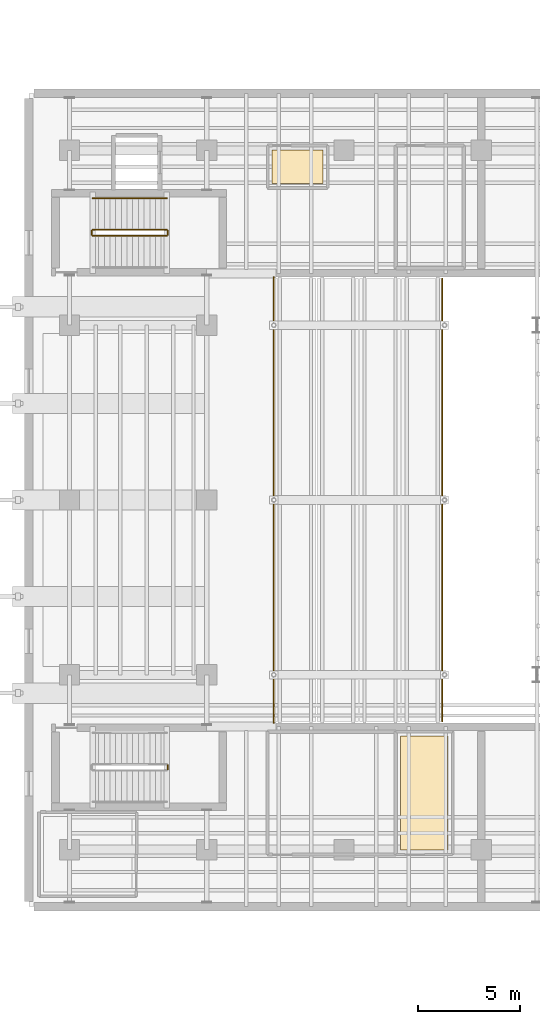
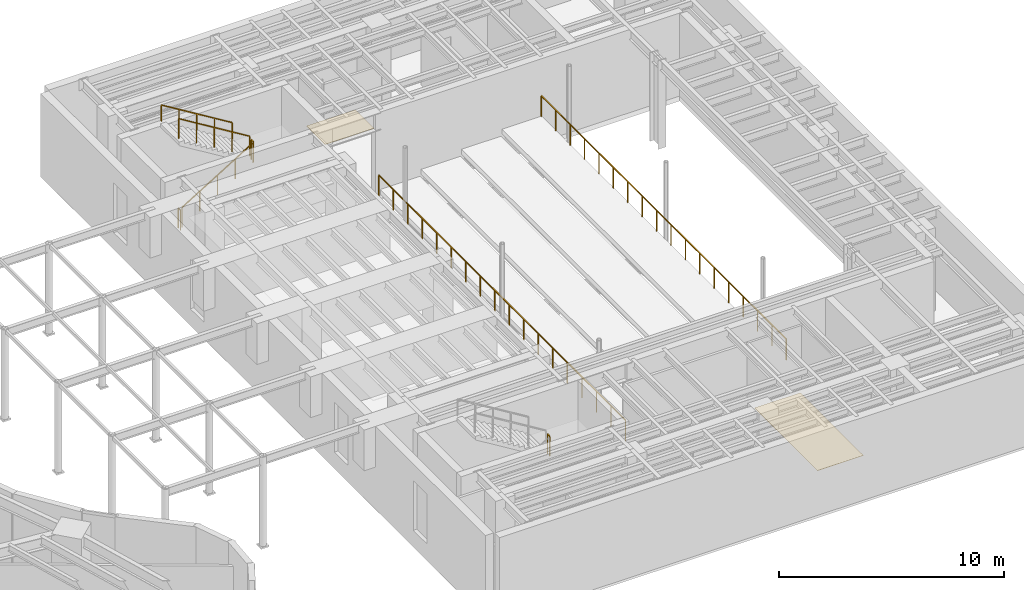
# One storey, part 24 of 24: 8 railings, 2 coverings.
"""IFC4 building model written with IfcOpenShell, lengths in metres."""

from ifc_helpers import new_model, si_unit, direction, frame, origin, origin_2d, place, context, subcontext, project, spatial, polyline, rectangle, outline, extrude, material, layer, layer_set, type_object, element, save


model = new_model("IFC4")

# Units and contexts
model_context = context("Model", 3, precision=1e-05, world=origin(), true_north=direction((0.0, 1.0)))
body_context = subcontext(model_context, "Body", "Model", "MODEL_VIEW")
ifc_project = project(units=[si_unit("LENGTHUNIT", "METRE"), si_unit("AREAUNIT", "SQUARE_METRE"), si_unit("VOLUMEUNIT", "CUBIC_METRE"), si_unit("PLANEANGLEUNIT", "RADIAN"), si_unit("MASSUNIT", "GRAM", prefix="KILO")], contexts=[model_context])

# Site, building, storey
site_placement = place(None, origin())
site = spatial("IfcSite", under=ifc_project, at=site_placement, CompositionType="ELEMENT")
building_placement = place(site_placement, origin())
building = spatial("IfcBuilding", under=site, at=building_placement, Name="Korentha Bioscience Tower", CompositionType="ELEMENT")
storey_placement = place(building_placement, frame((0.0, 0.0, 5.39990234375)))
storey = spatial("IfcBuildingStorey", under=building, at=storey_placement, Name="L01", CompositionType="ELEMENT", Elevation=5.39990234375)

# Covering
ifc_material_1 = material(Name="Vitrified Porcelain Tile", Category="ceramic")
ifc_layer_1 = layer(ifc_material_1, 0.014892578125, Name="Vitrified Porcelain Tile")
ifc_layer_set_1 = layer_set([ifc_layer_1], Name="Vitrified Porcelain Tile (FL-CER)")
covering_type_1 = type_object("IfcCoveringType", Name="Anti-Slip Ceramic Wet-Room Tile Flooring 15", PredefinedType="FLOORING", material=ifc_layer_set_1)
covering_1_placement = place(storey_placement, origin())
element("IfcCovering", 1, at=covering_1_placement, inside=storey, type_object=covering_type_1, Name="L01 L01 Theatre Accessible WC Floor Finish", PredefinedType="FLOORING", context=body_context, shape_type="SweptSolid", body=[
    extrude(outline(polyline([(76.469970703125, 42.570068359375), (76.469970703125, 44.219970703125), (78.97998046875, 44.219970703125), (78.97998046875, 42.570068359375), (76.469970703125, 42.570068359375)])), origin(), (0.0, 0.0, 1.0), 0.01513671875),
])

# Railings
ifc_material_2 = material(Name="Stainless Steel 304", Category="steel")
railing_type_1 = type_object("IfcRailingType", Name="Brushed Stainless Stair Handrail 900", PredefinedType="HANDRAIL", material=ifc_material_2)
railing_1_placement = place(storey_placement, frame((71.2900390625, 41.85009765625, 2.571533203125)))
element("IfcRailing", 2, at=railing_1_placement, inside=storey, type_object=railing_type_1, Name="L01 ST-T2 stair handrail 2", PredefinedType="HANDRAIL", context=body_context, shape_type="SweptSolid", body=[
    extrude(rectangle(XDim=0.048095703125, YDim=0.048095703125, at=origin_2d()), frame((0.0, 0.0, 0.8759765625), z_axis=(-0.852865859571, 0.0, 0.52213008492), x_axis=(0.0, -1.0, 0.0)), (0.0, 0.0, 1.0), 4.26806640625),
    extrude(rectangle(XDim=0.0419921875, YDim=0.0419921875, at=origin_2d()), origin(), (0.0, 0.0, 1.0), 0.851806640625),
    extrude(rectangle(XDim=0.0419921875, YDim=0.0419921875, at=origin_2d()), frame((-0.91015625, 0.0, 0.55712890625)), (0.0, 0.0, 1.0), 0.851806640625),
    extrude(rectangle(XDim=0.0419921875, YDim=0.0419921875, at=origin_2d()), frame((-1.820068359375, 0.0, 1.1142578125)), (0.0, 0.0, 1.0), 0.851806640625),
    extrude(rectangle(XDim=0.0419921875, YDim=0.0419921875, at=origin_2d()), frame((-2.72998046875, 0.0, 1.67138671875)), (0.0, 0.0, 1.0), 0.851806640625),
    extrude(rectangle(XDim=0.0419921875, YDim=0.0419921875, at=origin_2d()), frame((-3.64013671875, 0.0, 2.228515625)), (0.0, 0.0, 1.0), 0.851806640625),
])
ifc_material_3 = material(Name="Laminated Tempered Safety Glass", Category="glass")
railing_type_2 = type_object("IfcRailingType", Name="Laminated Glass Balcony Guardrail 1150", PredefinedType="BALUSTRADE", material=ifc_material_3)
railing_2_placement = place(storey_placement, frame((76.550048828125, 16.050048828125, 0.0)))
element("IfcRailing", 3, at=railing_2_placement, inside=storey, type_object=railing_type_2, Name="L01 Auditorium Seating Tier Front Balustrade", PredefinedType="BALUSTRADE", context=body_context, shape_type="SweptSolid", body=[
    extrude(rectangle(XDim=0.048095703125, YDim=0.048095703125, at=origin_2d()), frame((0.0, 0.0, 1.1259765625), z_axis=(0.0, 1.0, 0.0), x_axis=(-1.0, 0.0, 0.0)), (0.0, 0.0, 1.0), 21.89990234375),
    extrude(rectangle(XDim=0.0419921875, YDim=0.0419921875, at=origin_2d()), origin(), (0.0, 0.0, 1.0), 1.101806640625),
    extrude(rectangle(XDim=0.0419921875, YDim=0.0419921875, at=origin_2d()), frame((0.0, 1.288330078125, 0.0)), (0.0, 0.0, 1.0), 1.101806640625),
    extrude(rectangle(XDim=0.0419921875, YDim=0.0419921875, at=origin_2d()), frame((0.0, 2.576416015625, 0.0)), (0.0, 0.0, 1.0), 1.101806640625),
    extrude(rectangle(XDim=0.0419921875, YDim=0.0419921875, at=origin_2d()), frame((0.0, 3.86474609375, 0.0)), (0.0, 0.0, 1.0), 1.101806640625),
    extrude(rectangle(XDim=0.0419921875, YDim=0.0419921875, at=origin_2d()), frame((0.0, 5.15283203125, 0.0)), (0.0, 0.0, 1.0), 1.101806640625),
    extrude(rectangle(XDim=0.0419921875, YDim=0.0419921875, at=origin_2d()), frame((0.0, 6.441162109375, 0.0)), (0.0, 0.0, 1.0), 1.101806640625),
    extrude(rectangle(XDim=0.0419921875, YDim=0.0419921875, at=origin_2d()), frame((0.0, 7.7294921875, 0.0)), (0.0, 0.0, 1.0), 1.101806640625),
    extrude(rectangle(XDim=0.0419921875, YDim=0.0419921875, at=origin_2d()), frame((0.0, 9.017578125, 0.0)), (0.0, 0.0, 1.0), 1.101806640625),
    extrude(rectangle(XDim=0.0419921875, YDim=0.0419921875, at=origin_2d()), frame((0.0, 10.305908203125, 0.0)), (0.0, 0.0, 1.0), 1.101806640625),
    extrude(rectangle(XDim=0.0419921875, YDim=0.0419921875, at=origin_2d()), frame((0.0, 11.593994140625, 0.0)), (0.0, 0.0, 1.0), 1.101806640625),
    extrude(rectangle(XDim=0.0419921875, YDim=0.0419921875, at=origin_2d()), frame((0.0, 12.88232421875, 0.0)), (0.0, 0.0, 1.0), 1.101806640625),
    extrude(rectangle(XDim=0.0419921875, YDim=0.0419921875, at=origin_2d()), frame((0.0, 14.17041015625, 0.0)), (0.0, 0.0, 1.0), 1.101806640625),
    extrude(rectangle(XDim=0.0419921875, YDim=0.0419921875, at=origin_2d()), frame((0.0, 15.458740234375, 0.0)), (0.0, 0.0, 1.0), 1.101806640625),
    extrude(rectangle(XDim=0.0419921875, YDim=0.0419921875, at=origin_2d()), frame((0.0, 16.7470703125, 0.0)), (0.0, 0.0, 1.0), 1.101806640625),
    extrude(rectangle(XDim=0.0419921875, YDim=0.0419921875, at=origin_2d()), frame((0.0, 18.03515625, 0.0)), (0.0, 0.0, 1.0), 1.101806640625),
    extrude(rectangle(XDim=0.0419921875, YDim=0.0419921875, at=origin_2d()), frame((0.0, 19.323486328125, 0.0)), (0.0, 0.0, 1.0), 1.101806640625),
    extrude(rectangle(XDim=0.0419921875, YDim=0.0419921875, at=origin_2d()), frame((0.0, 20.611572265625, 0.0)), (0.0, 0.0, 1.0), 1.101806640625),
    extrude(rectangle(XDim=0.0419921875, YDim=0.0419921875, at=origin_2d()), frame((0.0, 21.89990234375, 0.0)), (0.0, 0.0, 1.0), 1.101806640625),
])
railing_3_placement = place(storey_placement, frame((84.840087890625, 16.1201171875, 1.440185546875)))
element("IfcRailing", 4, at=railing_3_placement, inside=storey, type_object=railing_type_2, Name="L01 Auditorium Upper Tier Balcony Balustrade", PredefinedType="BALUSTRADE", context=body_context, shape_type="SweptSolid", body=[
    extrude(rectangle(XDim=0.048095703125, YDim=0.048095703125, at=origin_2d()), frame((0.0, 0.0, 1.1259765625), z_axis=(0.0, 1.0, 0.0), x_axis=(-1.0, 0.0, 0.0)), (0.0, 0.0, 1.0), 21.759765625),
    extrude(rectangle(XDim=0.0419921875, YDim=0.0419921875, at=origin_2d()), origin(), (0.0, 0.0, 1.0), 1.101806640625),
    extrude(rectangle(XDim=0.0419921875, YDim=0.0419921875, at=origin_2d()), frame((0.0, 1.280029296875, 0.0)), (0.0, 0.0, 1.0), 1.101806640625),
    extrude(rectangle(XDim=0.0419921875, YDim=0.0419921875, at=origin_2d()), frame((0.0, 2.56005859375, 0.0)), (0.0, 0.0, 1.0), 1.101806640625),
    extrude(rectangle(XDim=0.0419921875, YDim=0.0419921875, at=origin_2d()), frame((0.0, 3.83984375, 0.0)), (0.0, 0.0, 1.0), 1.101806640625),
    extrude(rectangle(XDim=0.0419921875, YDim=0.0419921875, at=origin_2d()), frame((0.0, 5.119873046875, 0.0)), (0.0, 0.0, 1.0), 1.101806640625),
    extrude(rectangle(XDim=0.0419921875, YDim=0.0419921875, at=origin_2d()), frame((0.0, 6.39990234375, 0.0)), (0.0, 0.0, 1.0), 1.101806640625),
    extrude(rectangle(XDim=0.0419921875, YDim=0.0419921875, at=origin_2d()), frame((0.0, 7.679931640625, 0.0)), (0.0, 0.0, 1.0), 1.101806640625),
    extrude(rectangle(XDim=0.0419921875, YDim=0.0419921875, at=origin_2d()), frame((0.0, 8.9599609375, 0.0)), (0.0, 0.0, 1.0), 1.101806640625),
    extrude(rectangle(XDim=0.0419921875, YDim=0.0419921875, at=origin_2d()), frame((0.0, 10.239990234375, 0.0)), (0.0, 0.0, 1.0), 1.101806640625),
    extrude(rectangle(XDim=0.0419921875, YDim=0.0419921875, at=origin_2d()), frame((0.0, 11.519775390625, 0.0)), (0.0, 0.0, 1.0), 1.101806640625),
    extrude(rectangle(XDim=0.0419921875, YDim=0.0419921875, at=origin_2d()), frame((0.0, 12.7998046875, 0.0)), (0.0, 0.0, 1.0), 1.101806640625),
    extrude(rectangle(XDim=0.0419921875, YDim=0.0419921875, at=origin_2d()), frame((0.0, 14.079833984375, 0.0)), (0.0, 0.0, 1.0), 1.101806640625),
    extrude(rectangle(XDim=0.0419921875, YDim=0.0419921875, at=origin_2d()), frame((0.0, 15.35986328125, 0.0)), (0.0, 0.0, 1.0), 1.101806640625),
    extrude(rectangle(XDim=0.0419921875, YDim=0.0419921875, at=origin_2d()), frame((0.0, 16.639892578125, 0.0)), (0.0, 0.0, 1.0), 1.101806640625),
    extrude(rectangle(XDim=0.0419921875, YDim=0.0419921875, at=origin_2d()), frame((0.0, 17.919921875, 0.0)), (0.0, 0.0, 1.0), 1.101806640625),
    extrude(rectangle(XDim=0.0419921875, YDim=0.0419921875, at=origin_2d()), frame((0.0, 19.19970703125, 0.0)), (0.0, 0.0, 1.0), 1.101806640625),
    extrude(rectangle(XDim=0.0419921875, YDim=0.0419921875, at=origin_2d()), frame((0.0, 20.479736328125, 0.0)), (0.0, 0.0, 1.0), 1.101806640625),
    extrude(rectangle(XDim=0.0419921875, YDim=0.0419921875, at=origin_2d()), frame((0.0, 21.759765625, 0.0)), (0.0, 0.0, 1.0), 1.101806640625),
])
ifc_material_4 = material(Name="Painted Steel S275", Category="steel")
railing_type_3 = type_object("IfcRailingType", Name="Painted Steel Stair Well Guardrail 1100", PredefinedType="GUARDRAIL", material=ifc_material_4)
railing_4_placement = place(storey_placement, frame((71.340087890625, 13.75, 2.400146484375)))
element("IfcRailing", 5, at=railing_4_placement, inside=storey, type_object=railing_type_3, Name="L01 ST-T1 stair guard 2", PredefinedType="GUARDRAIL", context=body_context, shape_type="SweptSolid", body=[
    extrude(rectangle(XDim=0.048095703125, YDim=0.048095703125, at=origin_2d()), frame((0.0, 0.0, 1.076171875), z_axis=(0.0, 1.0, 0.0), x_axis=(-1.0, 0.0, 0.0)), (0.0, 0.0, 1.0), 0.199951171875),
    extrude(rectangle(XDim=0.0419921875, YDim=0.0419921875, at=origin_2d()), origin(), (0.0, 0.0, 1.0), 1.052001953125),
    extrude(rectangle(XDim=0.0419921875, YDim=0.0419921875, at=origin_2d()), frame((0.0, 0.199951171875, 0.0)), (0.0, 0.0, 1.0), 1.052001953125),
])
railing_5_placement = place(storey_placement, frame((67.64990234375, 40.0, 0.171630859375)))
element("IfcRailing", 6, at=railing_5_placement, inside=storey, type_object=railing_type_3, Name="L01 ST-T2 stair guard 1", PredefinedType="GUARDRAIL", context=body_context, shape_type="SweptSolid", body=[
    extrude(rectangle(XDim=0.048095703125, YDim=0.048095703125, at=origin_2d()), frame((0.0, 0.0, 1.076171875), z_axis=(0.852865859571, 0.0, 0.52213008492), x_axis=(0.0, 1.0, 0.0)), (0.0, 0.0, 1.0), 4.26806640625),
    extrude(rectangle(XDim=0.0419921875, YDim=0.0419921875, at=origin_2d()), origin(), (0.0, 0.0, 1.0), 1.052001953125),
    extrude(rectangle(XDim=0.0419921875, YDim=0.0419921875, at=origin_2d()), frame((0.91015625, 0.0, 0.55712890625)), (0.0, 0.0, 1.0), 1.052001953125),
    extrude(rectangle(XDim=0.0419921875, YDim=0.0419921875, at=origin_2d()), frame((1.820068359375, 0.0, 1.1142578125)), (0.0, 0.0, 1.0), 1.052001953125),
    extrude(rectangle(XDim=0.0419921875, YDim=0.0419921875, at=origin_2d()), frame((2.72998046875, 0.0, 1.67138671875)), (0.0, 0.0, 1.0), 1.052001953125),
    extrude(rectangle(XDim=0.0419921875, YDim=0.0419921875, at=origin_2d()), frame((3.64013671875, 0.0, 2.228515625)), (0.0, 0.0, 1.0), 1.052001953125),
])
railing_6_placement = place(storey_placement, frame((71.340087890625, 40.050048828125, 2.400146484375)))
element("IfcRailing", 7, at=railing_6_placement, inside=storey, type_object=railing_type_3, Name="L01 ST-T2 stair guard 2", PredefinedType="GUARDRAIL", context=body_context, shape_type="SweptSolid", body=[
    extrude(rectangle(XDim=0.048095703125, YDim=0.048095703125, at=origin_2d()), frame((0.0, 0.0, 1.076171875), z_axis=(0.0, 1.0, 0.0), x_axis=(-1.0, 0.0, 0.0)), (0.0, 0.0, 1.0), 0.199951171875),
    extrude(rectangle(XDim=0.0419921875, YDim=0.0419921875, at=origin_2d()), origin(), (0.0, 0.0, 1.0), 1.052001953125),
    extrude(rectangle(XDim=0.0419921875, YDim=0.0419921875, at=origin_2d()), frame((0.0, 0.199951171875, 0.0)), (0.0, 0.0, 1.0), 1.052001953125),
])
railing_7_placement = place(storey_placement, frame((71.2900390625, 40.300048828125, 2.571533203125)))
element("IfcRailing", 8, at=railing_7_placement, inside=storey, type_object=railing_type_3, Name="L01 ST-T2 stair guard 3", PredefinedType="GUARDRAIL", context=body_context, shape_type="SweptSolid", body=[
    extrude(rectangle(XDim=0.048095703125, YDim=0.048095703125, at=origin_2d()), frame((0.0, 0.0, 1.076171875), z_axis=(-0.852865859571, 0.0, 0.52213008492), x_axis=(0.0, -1.0, 0.0)), (0.0, 0.0, 1.0), 4.26806640625),
    extrude(rectangle(XDim=0.0419921875, YDim=0.0419921875, at=origin_2d()), origin(), (0.0, 0.0, 1.0), 1.052001953125),
    extrude(rectangle(XDim=0.0419921875, YDim=0.0419921875, at=origin_2d()), frame((-0.91015625, 0.0, 0.55712890625)), (0.0, 0.0, 1.0), 1.052001953125),
    extrude(rectangle(XDim=0.0419921875, YDim=0.0419921875, at=origin_2d()), frame((-1.820068359375, 0.0, 1.1142578125)), (0.0, 0.0, 1.0), 1.052001953125),
    extrude(rectangle(XDim=0.0419921875, YDim=0.0419921875, at=origin_2d()), frame((-2.72998046875, 0.0, 1.67138671875)), (0.0, 0.0, 1.0), 1.052001953125),
    extrude(rectangle(XDim=0.0419921875, YDim=0.0419921875, at=origin_2d()), frame((-3.64013671875, 0.0, 2.228515625)), (0.0, 0.0, 1.0), 1.052001953125),
])
railing_8_placement = place(storey_placement, frame((67.60009765625, 40.050048828125, 0.0)))
element("IfcRailing", 9, at=railing_8_placement, inside=storey, type_object=railing_type_3, Name="L01 ST-T2 stair guard 4", PredefinedType="GUARDRAIL", context=body_context, shape_type="SweptSolid", body=[
    extrude(rectangle(XDim=0.048095703125, YDim=0.048095703125, at=origin_2d()), frame((0.0, 0.0, 1.076171875), z_axis=(0.0, 1.0, 0.0), x_axis=(-1.0, 0.0, 0.0)), (0.0, 0.0, 1.0), 0.199951171875),
    extrude(rectangle(XDim=0.0419921875, YDim=0.0419921875, at=origin_2d()), origin(), (0.0, 0.0, 1.0), 1.052001953125),
    extrude(rectangle(XDim=0.0419921875, YDim=0.0419921875, at=origin_2d()), frame((0.0, 0.199951171875, 0.0)), (0.0, 0.0, 1.0), 1.052001953125),
])

# Covering
ifc_material_5 = material(Name="Chemical-Resistant Epoxy Resin", Category="polymer")
ifc_layer_2 = layer(ifc_material_5, 0.011962890625, Name="Chemical-Resistant Epoxy Resin")
ifc_layer_set_2 = layer_set([ifc_layer_2], Name="Chemical-Resistant Epoxy Resin (FL-EPX)")
covering_type_2 = type_object("IfcCoveringType", Name="Seamless Epoxy Laboratory Flooring 12", PredefinedType="FLOORING", material=ifc_layer_set_2)
covering_2_placement = place(storey_placement, origin())
element("IfcCovering", 10, at=covering_2_placement, inside=storey, type_object=covering_type_2, Name="L01 L01 Ensemble Rehearsal Studio Floor Finish", PredefinedType="FLOORING", context=body_context, shape_type="SweptSolid", body=[
    extrude(outline(polyline([(85.1298828125, 9.780029296875), (82.780029296875, 9.780029296875), (82.780029296875, 15.3798828125), (85.1298828125, 15.3798828125), (85.1298828125, 9.780029296875)])), origin(), (0.0, 0.0, 1.0), 0.01220703125),
])

save(model, "model.ifc")
